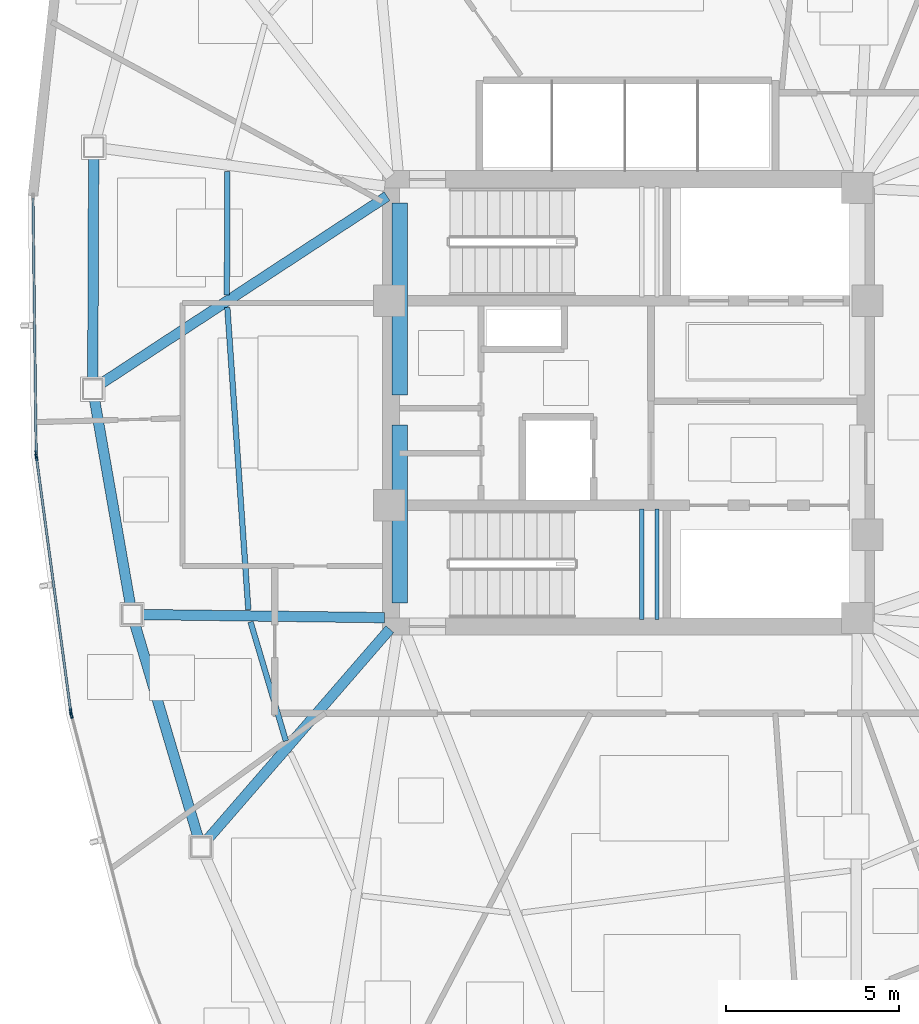
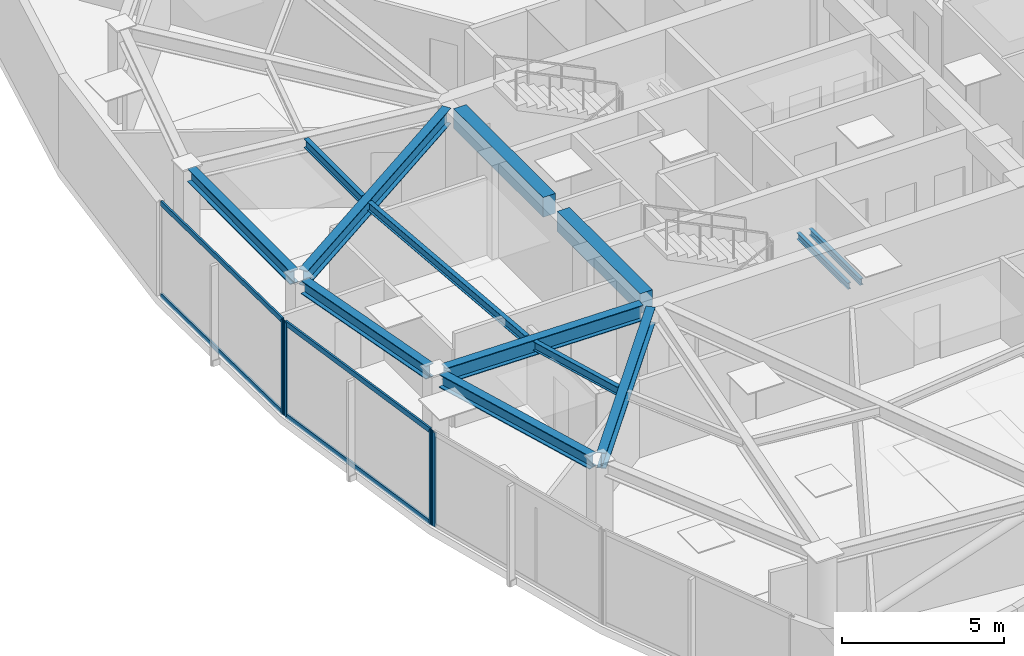
# One storey, part 4 of 18: 13 beams, 8 members, 3 elements without a shape of their own.
"""IFC4 building model written with IfcOpenShell, lengths in metres."""

from ifc_helpers import new_model, si_unit, direction, frame, origin, origin_2d, place, context, subcontext, project, spatial, rectangle, hollow_rectangle, i_section, extrude, source, transform, mapped, material, layer, layer_set, material_profile, profile_set, type_object, type_shapes, element, aggregate, save


model = new_model("IFC4")

# Units and contexts
model_context = context("Model", 3, precision=1e-05, world=origin(), true_north=direction((0.0, 1.0)))
body_context = subcontext(model_context, "Body", "Model", "MODEL_VIEW")
ifc_project = project(units=[si_unit("LENGTHUNIT", "METRE"), si_unit("AREAUNIT", "SQUARE_METRE"), si_unit("VOLUMEUNIT", "CUBIC_METRE"), si_unit("PLANEANGLEUNIT", "RADIAN"), si_unit("MASSUNIT", "GRAM", prefix="KILO")], contexts=[model_context])

# Site, building, storey
site_placement = place(None, origin())
site = spatial("IfcSite", under=ifc_project, at=site_placement, CompositionType="ELEMENT")
building_placement = place(site_placement, origin())
building = spatial("IfcBuilding", under=site, at=building_placement, Name="Tavelor Broadcast Tower", CompositionType="ELEMENT")
storey_placement = place(building_placement, frame((0.0, 0.0, 177.199951171875)))
storey = spatial("IfcBuildingStorey", under=building, at=storey_placement, Name="L42", CompositionType="ELEMENT", Elevation=177.199951171875)

# Beams
ifc_material_1 = material(Name="Concrete C40/50", Category="concrete")
ifc_material_profile_1 = material_profile(ifc_material_1, rectangle(XDim=0.449951171875, YDim=0.75, at=origin_2d()), Name="RC 450x750")
ifc_profile_set_1 = profile_set([ifc_material_profile_1], Name="Concrete C40/50")
beam_type_1 = type_object("IfcBeamType", Name="Basement Core Trim Beam 450x750", PredefinedType="BEAM", material=ifc_profile_set_1)
beam_1_placement = place(storey_placement, frame((43.39990234375, 45.23193359375, 3.175048828125), z_axis=(0.0, 1.0, 0.0), x_axis=(-1.0, 0.0, 0.0)))
element("IfcBeam", 1, at=beam_1_placement, inside=storey, type_object=beam_type_1, Name="L42 Core West-N Tie Girder", PredefinedType="BEAM", context=body_context, shape_type="SweptSolid", body=[
    extrude(rectangle(XDim=0.449951171875, YDim=0.75, at=origin_2d()), origin(), (0.0, 0.0, 1.0), 5.5361328125),
])
beam_2_placement = place(storey_placement, frame((43.39990234375, 39.23193359375, 3.175048828125), z_axis=(0.0, 1.0, 0.0), x_axis=(-1.0, 0.0, 0.0)))
element("IfcBeam", 2, at=beam_2_placement, inside=storey, type_object=beam_type_1, Name="L42 Core West-S Tie Girder", PredefinedType="BEAM", context=body_context, shape_type="SweptSolid", body=[
    extrude(rectangle(XDim=0.449951171875, YDim=0.75, at=origin_2d()), origin(), (0.0, 0.0, 1.0), 5.135986328125),
])
ifc_material_2 = material(Name="Steel S355", Category="steel")
ifc_material_profile_2 = material_profile(ifc_material_2, i_section(OverallWidth=0.159912109375, OverallDepth=0.330078125, WebThickness=0.007568359375, FlangeThickness=0.011474609375, at=origin_2d()), Name="IPE 330")
ifc_profile_set_2 = profile_set([ifc_material_profile_2], Name="Steel S355")
beam_type_2 = type_object("IfcBeamType", Name="Composite Floor Joist T4 IPE 330", PredefinedType="JOIST", material=ifc_profile_set_2)
beam_3_placement = place(storey_placement, frame((38.428955078125, 51.68310546875, 3.385009765625), z_axis=(-0.002943579799, -0.99999566766, 0.0), x_axis=(0.99999566766, -0.002943579799, 0.0)))
element("IfcBeam", 3, at=beam_3_placement, inside=storey, type_object=beam_type_2, Name="L42 Secondary Composite Floor Joist 03", PredefinedType="JOIST", context=body_context, shape_type="SweptSolid", body=[
    extrude(i_section(OverallWidth=0.159912109375, OverallDepth=0.330078125, WebThickness=0.007568359375, FlangeThickness=0.011474609375, at=origin_2d()), origin(), (0.0, 0.0, 1.0), 3.56640625),
])
beam_4_placement = place(storey_placement, frame((38.430419921875, 47.755126953125, 3.385009765625), z_axis=(0.069281460066, -0.997597152808, 0.0), x_axis=(0.997597152808, 0.069281460066, 0.0)))
element("IfcBeam", 4, at=beam_4_placement, inside=storey, type_object=beam_type_2, Name="L42 Secondary Composite Floor Joist 04", PredefinedType="JOIST", context=body_context, shape_type="SweptSolid", body=[
    extrude(i_section(OverallWidth=0.159912109375, OverallDepth=0.330078125, WebThickness=0.007568359375, FlangeThickness=0.011474609375, at=origin_2d()), origin(), (0.0, 0.0, 1.0), 8.7392578125),
])
beam_5_placement = place(storey_placement, frame((39.10009765625, 38.682861328125, 3.385009765625), z_axis=(0.284738295298, -0.958605290613, 0.0), x_axis=(0.958605290613, 0.284738295298, 0.0)))
element("IfcBeam", 5, at=beam_5_placement, inside=storey, type_object=beam_type_2, Name="L42 Secondary Composite Floor Joist 05", PredefinedType="JOIST", context=body_context, shape_type="SweptSolid", body=[
    extrude(i_section(OverallWidth=0.159912109375, OverallDepth=0.330078125, WebThickness=0.007568359375, FlangeThickness=0.011474609375, at=origin_2d()), origin(), (0.0, 0.0, 1.0), 3.58056640625),
])
ifc_material_profile_3 = material_profile(ifc_material_2, i_section(OverallWidth=0.300048828125, OverallDepth=0.5, WebThickness=0.014404296875, FlangeThickness=0.028076171875, at=origin_2d()), Name="HEB 500")
ifc_profile_set_3 = profile_set([ifc_material_profile_3], Name="Steel S355")
beam_type_3 = type_object("IfcBeamType", Name="Perimeter Spandrel Beam T4 HEB 500", PredefinedType="SPANDREL", material=ifc_profile_set_3)
beam_6_placement = place(storey_placement, frame((34.573974609375, 52.09130859375, 3.300048828125), z_axis=(-0.004117073981, -0.999991524815, 0.0), x_axis=(0.999991524815, -0.004117073981, 0.0)))
element("IfcBeam", 6, at=beam_6_placement, inside=storey, type_object=beam_type_3, Name="L42 Framed-Tube Ring Spandrel 03", PredefinedType="SPANDREL", context=body_context, shape_type="SweptSolid", body=[
    extrude(i_section(OverallWidth=0.300048828125, OverallDepth=0.5, WebThickness=0.014404296875, FlangeThickness=0.028076171875, at=origin_2d()), origin(), (0.0, 0.0, 1.0), 6.404296875),
])
beam_7_placement = place(storey_placement, frame((34.595947265625, 45.115478515625, 3.300048828125), z_axis=(0.171987908601, -0.985099060651, 0.0), x_axis=(0.985099060651, 0.171987908601, 0.0)))
element("IfcBeam", 7, at=beam_7_placement, inside=storey, type_object=beam_type_3, Name="L42 Framed-Tube Ring Spandrel 04", PredefinedType="SPANDREL", context=body_context, shape_type="SweptSolid", body=[
    extrude(i_section(OverallWidth=0.300048828125, OverallDepth=0.5, WebThickness=0.014404296875, FlangeThickness=0.028076171875, at=origin_2d()), origin(), (0.0, 0.0, 1.0), 6.021728515625),
])
beam_8_placement = place(storey_placement, frame((35.7626953125, 38.623779296875, 3.300048828125), z_axis=(0.283962764381, -0.958835308301, 0.0), x_axis=(0.958835308301, 0.283962764381, 0.0)))
element("IfcBeam", 8, at=beam_8_placement, inside=storey, type_object=beam_type_3, Name="L42 Framed-Tube Ring Spandrel 05", PredefinedType="SPANDREL", context=body_context, shape_type="SweptSolid", body=[
    extrude(i_section(OverallWidth=0.300048828125, OverallDepth=0.5, WebThickness=0.014404296875, FlangeThickness=0.028076171875, at=origin_2d()), origin(), (0.0, 0.0, 1.0), 6.421630859375),
])
ifc_material_profile_4 = material_profile(ifc_material_2, i_section(OverallWidth=0.300048828125, OverallDepth=0.590087890625, WebThickness=0.012939453125, FlangeThickness=0.02490234375, at=origin_2d()), Name="HEA 600")
ifc_profile_set_4 = profile_set([ifc_material_profile_4], Name="Steel S355")
beam_type_4 = type_object("IfcBeamType", Name="Radial Floor Girder T4 HEA 600", PredefinedType="BEAM", material=ifc_profile_set_4)
beam_9_placement = place(storey_placement, frame((43.038818359375, 50.963134765625, 3.255126953125), z_axis=(-0.83645565271, -0.548034616652, 0.0), x_axis=(0.548034616652, -0.83645565271, 0.0)))
element("IfcBeam", 9, at=beam_9_placement, inside=storey, type_object=beam_type_4, Name="L42 Radial Primary Floor Girder 04", PredefinedType="BEAM", context=body_context, shape_type="SweptSolid", body=[
    extrude(i_section(OverallWidth=0.300048828125, OverallDepth=0.590087890625, WebThickness=0.012939453125, FlangeThickness=0.02490234375, at=origin_2d()), origin(), (0.0, 0.0, 1.0), 9.86474609375),
])
beam_10_placement = place(storey_placement, frame((42.968017578125, 38.8056640625, 3.255126953125), z_axis=(-0.99991627243, 0.012940175006, 0.0), x_axis=(-0.012940175006, -0.99991627243, 0.0)))
element("IfcBeam", 10, at=beam_10_placement, inside=storey, type_object=beam_type_4, Name="L42 Radial Primary Floor Girder 05", PredefinedType="BEAM", context=body_context, shape_type="SweptSolid", body=[
    extrude(i_section(OverallWidth=0.300048828125, OverallDepth=0.590087890625, WebThickness=0.012939453125, FlangeThickness=0.02490234375, at=origin_2d()), origin(), (0.0, 0.0, 1.0), 6.99951171875),
])
beam_11_placement = place(storey_placement, frame((43.116943359375, 38.4736328125, 3.255126953125), z_axis=(-0.655167826376, -0.755483367972, 0.0), x_axis=(0.755483367972, -0.655167826376, 0.0)))
element("IfcBeam", 11, at=beam_11_placement, inside=storey, type_object=beam_type_4, Name="L42 Radial Primary Floor Girder 06", PredefinedType="BEAM", context=body_context, shape_type="SweptSolid", body=[
    extrude(i_section(OverallWidth=0.300048828125, OverallDepth=0.590087890625, WebThickness=0.012939453125, FlangeThickness=0.02490234375, at=origin_2d()), origin(), (0.0, 0.0, 1.0), 8.02880859375),
])
ifc_material_profile_5 = material_profile(ifc_material_2, i_section(OverallWidth=0.1201171875, OverallDepth=0.239990234375, WebThickness=0.006103515625, FlangeThickness=0.009765625, at=origin_2d()), Name="IPE 240")
ifc_profile_set_5 = profile_set([ifc_material_profile_5], Name="Steel S355")
beam_type_5 = type_object("IfcBeamType", Name="Stairwell Landing Support Trimmer Beam IPE240", PredefinedType="BEAM", material=ifc_profile_set_5)
for number, where, z_axis, x_axis, name in (
    (12, (50.385009765625, 38.760009765625, 1.610107421875), (0.0, 1.0, 0.0), (-1.0, 0.0, 0.0), "L42 Stair Landing Support Beam 331"),
    (13, (50.824951171875, 38.760009765625, 1.610107421875), (0.0, 1.0, 0.0), (-1.0, 0.0, 0.0), "L42 Stair Landing Support Beam 332"),
):
    element("IfcBeam", number, at=place(storey_placement, frame(where, z_axis=z_axis, x_axis=x_axis)), inside=storey, type_object=beam_type_5, Name=name, PredefinedType="BEAM", context=body_context, shape_type="SweptSolid", body=[
        extrude(i_section(OverallWidth=0.1201171875, OverallDepth=0.239990234375, WebThickness=0.006103515625, FlangeThickness=0.009765625, at=origin_2d()), origin(), (0.0, 0.0, 1.0), 3.179931640625),
    ])

# Curtain wall, member
ifc_material_3 = material(Name="Architectural Anodized Aluminium", Category="aluminium")
ifc_layer = layer(ifc_material_3, 0.18994140625)
ifc_layer_set = layer_set([ifc_layer], Name="Architectural Anodized Aluminium")
curtain_wall_type = type_object("IfcCurtainWallType", Name="Tower Mid-Zone Acoustic Curtain Wall CW03", PredefinedType="NOTDEFINED", material=ifc_layer_set)
curtain_wall_1_placement = place(storey_placement, origin())
curtain_wall_1 = element("IfcCurtainWall", 14, at=curtain_wall_1_placement, inside=storey, type_object=curtain_wall_type, Name="L42 Curtain Wall CW03 Run 445", PredefinedType="NOTDEFINED")
ifc_material_profile_6 = material_profile(ifc_material_3, hollow_rectangle(XDim=0.068115234375, YDim=0.18994140625, WallThickness=0.02197265625, at=origin_2d()), Name="RHS 68x190x22")
ifc_profile_set_6 = profile_set([ifc_material_profile_6], Name="Architectural Anodized Aluminium")
member_type_1 = type_object("IfcMemberType", Name="CW03 Extruded Aluminium Mullion 68x190", PredefinedType="MULLION", material=ifc_profile_set_6)
shared_shape_1 = source(origin(), body_context, "Body", "SweptSolid", [
    extrude(hollow_rectangle(XDim=0.068115234375, YDim=0.18994140625, WallThickness=0.02197265625, at=origin_2d()), origin(), (0.0, 0.0, 1.0), 3.550048828125),
])
type_shapes(member_type_1, [shared_shape_1])
member_1_placement = place(storey_placement, frame((32.91650390625, 43.5302734375, 0.0), z_axis=(0.0, 0.0, 1.0), x_axis=(0.999919885704, 0.012657889797, 0.0)))
member_1 = element("IfcMember", 15, at=member_1_placement, type_object=member_type_1, Name="CW03 mullion 2", PredefinedType="MULLION", context=body_context, shape_type="MappedRepresentation", body=[
    mapped(shared_shape_1, transform((0.0, 0.0, 0.0), scale=1.0)),
])

# Curtain wall, members
curtain_wall_2_placement = place(storey_placement, origin())
curtain_wall_2 = element("IfcCurtainWall", 16, at=curtain_wall_2_placement, inside=storey, type_object=curtain_wall_type, Name="L42 Curtain Wall CW03 Run 446", PredefinedType="NOTDEFINED")
member_2_placement = place(storey_placement, frame((32.923583984375, 43.4326171875, 0.0), z_axis=(0.0, 0.0, 1.0), x_axis=(0.991042316409, 0.133548220083, 0.0)))
member_2 = element("IfcMember", 17, at=member_2_placement, type_object=member_type_1, Name="CW03 mullion 1", PredefinedType="MULLION", context=body_context, shape_type="MappedRepresentation", body=[
    mapped(shared_shape_1, transform((0.0, 0.0, 0.0), scale=1.0)),
])
member_3_placement = place(storey_placement, frame((33.912841796875, 36.092529296875, 0.0), z_axis=(0.0, 0.0, 1.0), x_axis=(0.991042316409, 0.133548220083, 0.0)))
member_3 = element("IfcMember", 18, at=member_3_placement, type_object=member_type_1, Name="CW03 mullion 2", PredefinedType="MULLION", context=body_context, shape_type="MappedRepresentation", body=[
    mapped(shared_shape_1, transform((0.0, 0.0, 0.0), scale=1.0)),
])

# Curtain wall, member
curtain_wall_3_placement = place(storey_placement, origin())
curtain_wall_3 = element("IfcCurtainWall", 19, at=curtain_wall_3_placement, inside=storey, type_object=curtain_wall_type, Name="L42 Curtain Wall CW03 Run 447", PredefinedType="NOTDEFINED")
member_4_placement = place(storey_placement, frame((33.931640625, 35.99658203125, 0.0), z_axis=(0.0, 0.0, 1.0), x_axis=(0.967596383628, 0.252501957199, 0.0)))
member_4 = element("IfcMember", 20, at=member_4_placement, type_object=member_type_1, Name="CW03 mullion 1", PredefinedType="MULLION", context=body_context, shape_type="MappedRepresentation", body=[
    mapped(shared_shape_1, transform((0.0, 0.0, 0.0), scale=1.0)),
])
aggregate(curtain_wall_3, [member_4])

# Member
ifc_material_profile_7 = material_profile(ifc_material_3, hollow_rectangle(XDim=0.068115234375, YDim=0.18994140625, WallThickness=0.02197265625, at=origin_2d()), Name="RHS 68x190x22")
ifc_profile_set_7 = profile_set([ifc_material_profile_7], Name="Architectural Anodized Aluminium")
member_type_2 = type_object("IfcMemberType", Name="CW03 Extruded Aluminium Transom 68x190", PredefinedType="USERDEFINED", material=ifc_profile_set_7)
shared_shape_2 = source(origin(), body_context, "Body", "SweptSolid", [
    extrude(hollow_rectangle(XDim=0.068115234375, YDim=0.18994140625, WallThickness=0.02197265625, at=origin_2d()), origin(), (0.0, 0.0, 1.0), 7.353271484375),
])
member_5_placement = place(storey_placement, frame((32.822998046875, 50.9169921875, 0.033935546875), z_axis=(0.012649650237, -0.999919989974, 0.0), x_axis=(0.999919989974, 0.012649650237, 0.0)))
member_5 = element("IfcMember", 21, at=member_5_placement, type_object=member_type_2, Name="CW03 transom 1.1", ObjectType="TRANSOM", PredefinedType="USERDEFINED", context=body_context, shape_type="MappedRepresentation", body=[
    mapped(shared_shape_2, transform((0.0, 0.0, 0.0), scale=1.0)),
])

member_6_placement = place(storey_placement, frame((32.822998046875, 50.9169921875, 3.51611328125), z_axis=(0.012649650237, -0.999919989974, 0.0), x_axis=(0.999919989974, 0.012649650237, 0.0)))
member_6 = element("IfcMember", 22, at=member_6_placement, type_object=member_type_2, Name="CW03 transom 1.2", ObjectType="TRANSOM", PredefinedType="USERDEFINED", context=body_context, shape_type="MappedRepresentation", body=[
    mapped(shared_shape_2, transform((0.0, 0.0, 0.0), scale=1.0)),
])

aggregate(curtain_wall_1, [member_1, member_5, member_6])

shared_shape_3 = source(origin(), body_context, "Body", "SweptSolid", [
    extrude(hollow_rectangle(XDim=0.068115234375, YDim=0.18994140625, WallThickness=0.02197265625, at=origin_2d()), origin(), (0.0, 0.0, 1.0), 7.33837890625),
])
type_shapes(member_type_2, [shared_shape_2, shared_shape_3])
member_7_placement = place(storey_placement, frame((32.92822265625, 43.39892578125, 0.033935546875), z_axis=(0.133540832322, -0.991043311921, 0.0), x_axis=(0.991043311921, 0.133540832322, 0.0)))
member_7 = element("IfcMember", 23, at=member_7_placement, type_object=member_type_2, Name="CW03 transom 1.1", ObjectType="TRANSOM", PredefinedType="USERDEFINED", context=body_context, shape_type="MappedRepresentation", body=[
    mapped(shared_shape_3, transform((0.0, 0.0, 0.0), scale=1.0)),
])

member_8_placement = place(storey_placement, frame((32.92822265625, 43.39892578125, 3.51611328125), z_axis=(0.133540832322, -0.991043311921, 0.0), x_axis=(0.991043311921, 0.133540832322, 0.0)))
member_8 = element("IfcMember", 24, at=member_8_placement, type_object=member_type_2, Name="CW03 transom 1.2", ObjectType="TRANSOM", PredefinedType="USERDEFINED", context=body_context, shape_type="MappedRepresentation", body=[
    mapped(shared_shape_3, transform((0.0, 0.0, 0.0), scale=1.0)),
])

aggregate(curtain_wall_2, [member_2, member_3, member_7, member_8])

save(model, "model.ifc")
